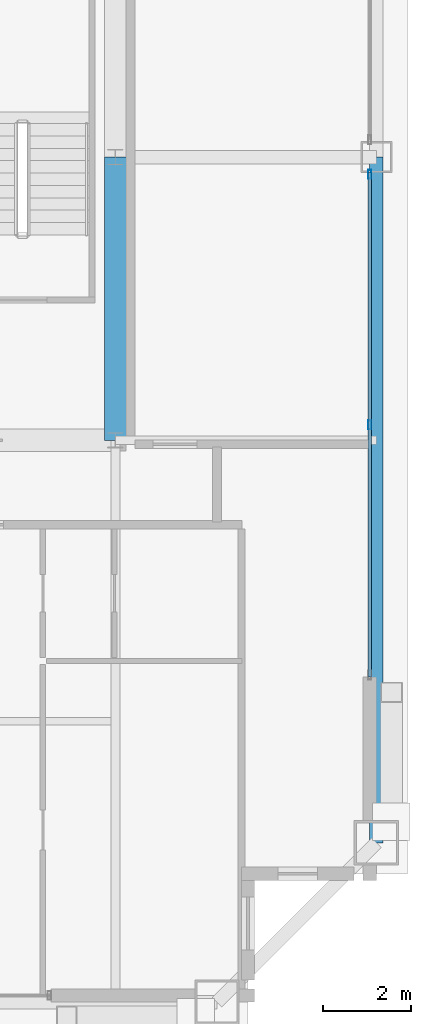
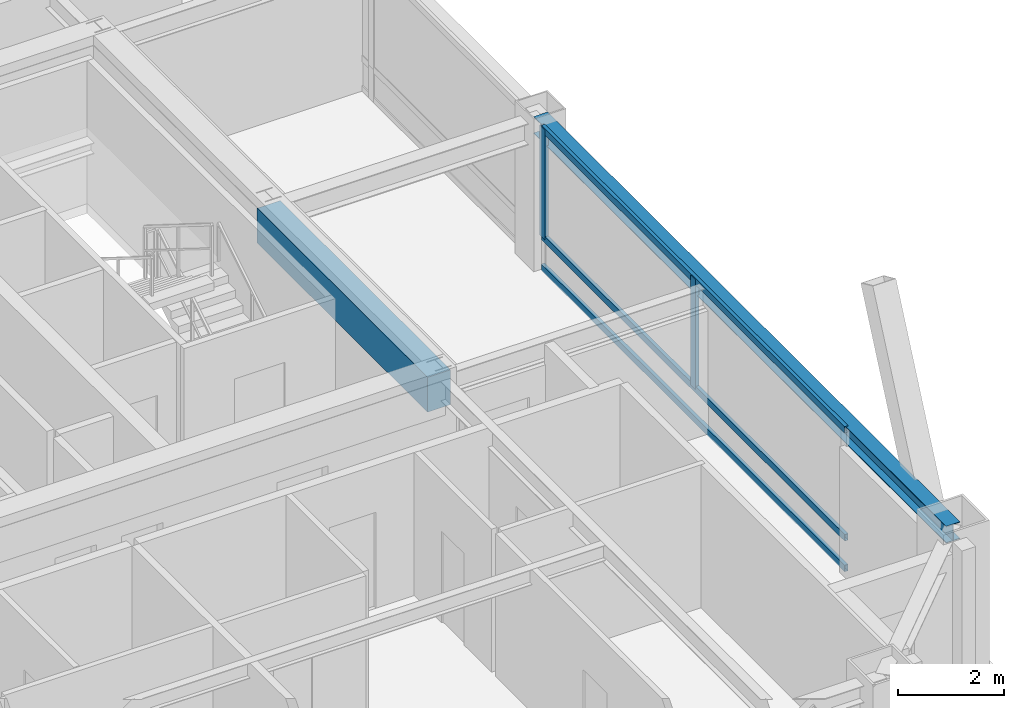
# One storey, part 12 of 33: 5 members, 2 beams, 1 element without a shape of its own.
"""IFC4 building model written with IfcOpenShell, lengths in metres."""

from ifc_helpers import new_model, si_unit, direction, frame, origin, origin_2d, place, context, subcontext, project, spatial, rectangle, hollow_rectangle, i_section, extrude, source, transform, mapped, material, layer, layer_set, material_profile, profile_set, type_object, element, aggregate, save


model = new_model("IFC4")

# Units and contexts
model_context = context("Model", 3, precision=1e-05, world=origin(), true_north=direction((0.0, 1.0)))
body_context = subcontext(model_context, "Body", "Model", "MODEL_VIEW")
ifc_project = project(units=[si_unit("LENGTHUNIT", "METRE"), si_unit("AREAUNIT", "SQUARE_METRE"), si_unit("VOLUMEUNIT", "CUBIC_METRE"), si_unit("PLANEANGLEUNIT", "RADIAN"), si_unit("MASSUNIT", "GRAM", prefix="KILO"), si_unit("THERMODYNAMICTEMPERATUREUNIT", "KELVIN"), si_unit("POWERUNIT", "WATT")], contexts=[model_context])

# Site, building, storey
site_placement = place(None, origin())
site = spatial("IfcSite", under=ifc_project, at=site_placement, CompositionType="ELEMENT")
building_placement = place(site_placement, origin())
building = spatial("IfcBuilding", under=site, at=building_placement, Name="Yuzanri Waterfront Tower", CompositionType="ELEMENT")
storey_placement = place(building_placement, frame((0.0, 0.0, 292.60009765625)))
storey = spatial("IfcBuildingStorey", under=building, at=storey_placement, Name="L78", CompositionType="ELEMENT", Elevation=292.60009765625)

# Beams
ifc_material_1 = material(Name="Concrete C50", Category="concrete")
ifc_material_profile_1 = material_profile(ifc_material_1, rectangle(XDim=0.5, YDim=0.800048828125, at=origin_2d()), Name="RC 500x800")
ifc_profile_set_1 = profile_set([ifc_material_profile_1], Name="Concrete C50")
beam_type_1 = type_object("IfcBeamType", Name="Core Coupling Lintel Concrete C50 500x800", PredefinedType="LINTEL", material=ifc_profile_set_1)
shared_shape_1 = source(origin(), body_context, "Body", "SweptSolid", [
    extrude(rectangle(XDim=0.5, YDim=0.800048828125, at=origin_2d()), origin(), (0.0, 0.0, 1.0), 6.400146484375),
])
beam_1_placement = place(storey_placement, frame((50.199951171875, 19.39990234375, 2.8798828125), z_axis=(0.0, 1.0, 0.0), x_axis=(-1.0, 0.0, 0.0)))
element("IfcBeam", 1, at=beam_1_placement, inside=storey, type_object=beam_type_1, Name="L78 Core Tie Beam CE1", PredefinedType="LINTEL", context=body_context, shape_type="MappedRepresentation", body=[
    mapped(shared_shape_1, transform((0.0, 0.0, 0.0), scale=1.0)),
])
ifc_material_2 = material(Name="Steel Q355B", Category="steel")
ifc_material_profile_2 = material_profile(ifc_material_2, i_section(OverallWidth=0.300048828125, OverallDepth=0.389892578125, WebThickness=0.010009765625, FlangeThickness=0.01611328125, at=origin_2d()), Name="HM 390x300x10x16")
ifc_profile_set_2 = profile_set([ifc_material_profile_2], Name="Steel Q355B")
beam_type_2 = type_object("IfcBeamType", Name="Perimeter Spandrel Q355B HM 390x300", PredefinedType="SPANDREL", material=ifc_profile_set_2)
shared_shape_2 = source(origin(), body_context, "Body", "SweptSolid", [
    extrude(i_section(OverallWidth=0.300048828125, OverallDepth=0.389892578125, WebThickness=0.010009765625, FlangeThickness=0.01611328125, at=origin_2d()), origin(), (0.0, 0.0, 1.0), 15.5),
])
beam_2_placement = place(storey_placement, frame((56.10009765625, 10.300048828125, 3.0849609375), z_axis=(0.0, 1.0, 0.0), x_axis=(-1.0, 0.0, 0.0)))
element("IfcBeam", 2, at=beam_2_placement, inside=storey, type_object=beam_type_2, Name="L78 Perimeter Spandrel E1-E2", PredefinedType="SPANDREL", context=body_context, shape_type="MappedRepresentation", body=[
    mapped(shared_shape_2, transform((0.0, 0.0, 0.0), scale=1.0)),
])

# Curtain wall, members
ifc_material_3 = material(Name="Anodized Architectural Bronze", Category="metal")
ifc_layer = layer(ifc_material_3, 0.159912109375)
ifc_layer_set = layer_set([ifc_layer], Name="Anodized Architectural Bronze")
curtain_wall_type = type_object("IfcCurtainWallType", Name="Anodized Bronze High-Rise Penthouse High-Wind Unitized Curtain Wall 6900", PredefinedType="NOTDEFINED", material=ifc_layer_set)
curtain_wall_placement = place(storey_placement, origin())
curtain_wall = element("IfcCurtainWall", 3, at=curtain_wall_placement, inside=storey, type_object=curtain_wall_type, Name="L78 Curtain Wall CW-L78-EL", PredefinedType="NOTDEFINED")
ifc_material_4 = material(Name="Anodized Architectural Bronze", Category="metal")
ifc_material_profile_3 = material_profile(ifc_material_4, hollow_rectangle(XDim=0.074951171875, YDim=0.199951171875, WallThickness=0.00390625, at=origin_2d()), Name="CWM 75x200")
ifc_profile_set_3 = profile_set([ifc_material_profile_3], Name="Anodized Architectural Bronze")
member_type_1 = type_object("IfcMemberType", Name="Anodized Bronze Primary Curtain-Wall Mullion 75x200", PredefinedType="MULLION", material=ifc_profile_set_3)
shared_shape_3 = source(origin(), body_context, "Body", "SweptSolid", [
    extrude(hollow_rectangle(XDim=0.074951171875, YDim=0.199951171875, WallThickness=0.00390625, at=origin_2d()), origin(), (0.0, 0.0, 1.0), 2.52392578125),
])
member_1_placement = place(storey_placement, frame((55.949951171875, 19.75, 0.755859375), z_axis=(0.0, 0.0, 1.0), x_axis=(1.0, 0.0, 0.0)))
member_1 = element("IfcMember", 4, at=member_1_placement, type_object=member_type_1, Name="CW-L78-EL Upper Mullion 01", PredefinedType="MULLION", context=body_context, shape_type="MappedRepresentation", body=[
    mapped(shared_shape_3, transform((0.0, 0.0, 0.0), scale=1.0)),
])
member_2_placement = place(storey_placement, frame((55.949951171875, 25.409912109375, 0.755859375), z_axis=(0.0, 0.0, 1.0), x_axis=(1.0, 0.0, 0.0)))
member_2 = element("IfcMember", 5, at=member_2_placement, type_object=member_type_1, Name="CW-L78-EL Upper Mullion 02", PredefinedType="MULLION", context=body_context, shape_type="MappedRepresentation", body=[
    mapped(shared_shape_3, transform((0.0, 0.0, 0.0), scale=1.0)),
])
ifc_material_5 = material(Name="Anodized Architectural Bronze", Category="metal")
ifc_material_profile_4 = material_profile(ifc_material_5, hollow_rectangle(XDim=0.074951171875, YDim=0.14990234375, WallThickness=0.00390625, at=origin_2d()), Name="CWT 75x150")
ifc_profile_set_4 = profile_set([ifc_material_profile_4], Name="Anodized Architectural Bronze")
member_type_2 = type_object("IfcMemberType", Name="Anodized Bronze Primary Curtain-Wall Transom 75x150", PredefinedType="USERDEFINED", material=ifc_profile_set_4)
shared_shape_4 = source(origin(), body_context, "Body", "SweptSolid", [
    extrude(hollow_rectangle(XDim=0.074951171875, YDim=0.14990234375, WallThickness=0.00390625, at=origin_2d()), origin(), (0.0, 0.0, 1.0), 11.39990234375),
])
member_3_placement = place(storey_placement, frame((55.949951171875, 14.050048828125, 0.0498046875), z_axis=(0.0, 1.0, 0.0), x_axis=(-1.0, 0.0, 0.0)))
member_3 = element("IfcMember", 6, at=member_3_placement, type_object=member_type_2, Name="CW-L78-EL Transom 1", ObjectType="TRANSOM", PredefinedType="USERDEFINED", context=body_context, shape_type="MappedRepresentation", body=[
    mapped(shared_shape_4, transform((0.0, 0.0, 0.0), scale=1.0)),
])
member_4_placement = place(storey_placement, frame((55.949951171875, 14.050048828125, 0.75390625), z_axis=(0.0, 1.0, 0.0), x_axis=(-1.0, 0.0, 0.0)))
member_4 = element("IfcMember", 7, at=member_4_placement, type_object=member_type_2, Name="CW-L78-EL Transom 2", ObjectType="TRANSOM", PredefinedType="USERDEFINED", context=body_context, shape_type="MappedRepresentation", body=[
    mapped(shared_shape_4, transform((0.0, 0.0, 0.0), scale=1.0)),
])
member_5_placement = place(storey_placement, frame((55.949951171875, 14.050048828125, 3.22998046875), z_axis=(0.0, 1.0, 0.0), x_axis=(-1.0, 0.0, 0.0)))
member_5 = element("IfcMember", 8, at=member_5_placement, type_object=member_type_2, Name="CW-L78-EL Transom 3", ObjectType="TRANSOM", PredefinedType="USERDEFINED", context=body_context, shape_type="MappedRepresentation", body=[
    mapped(shared_shape_4, transform((0.0, 0.0, 0.0), scale=1.0)),
])
aggregate(curtain_wall, [member_1, member_2, member_3, member_4, member_5])

save(model, "model.ifc")
